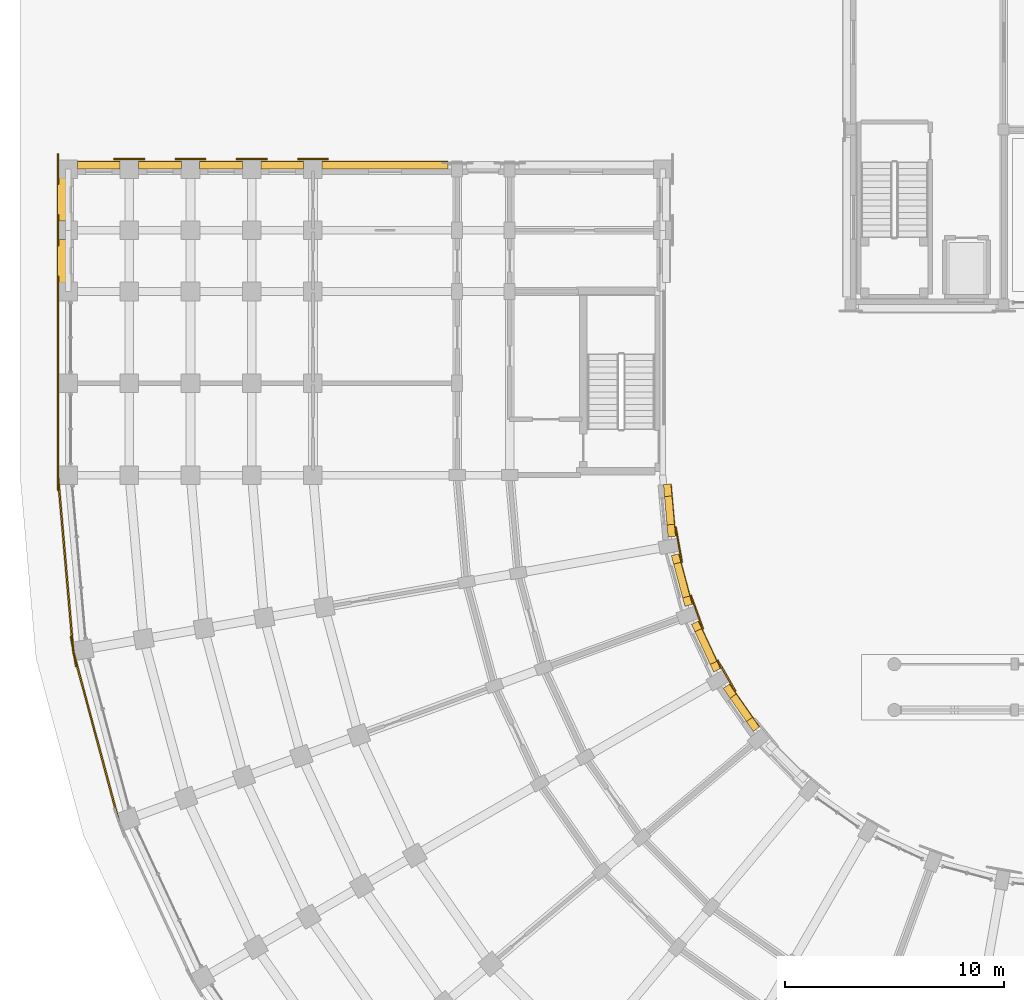
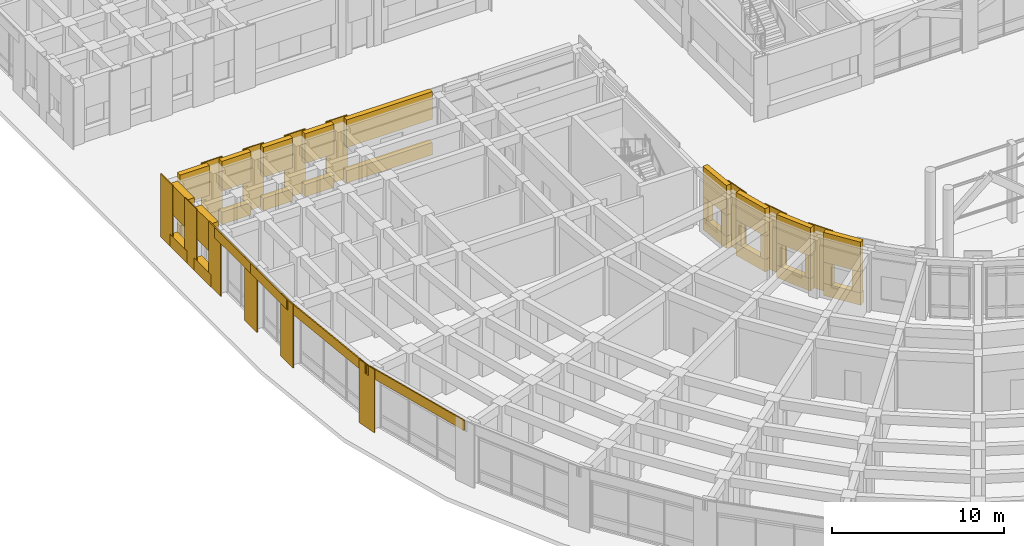
# One storey, part 118 of 135: 47 coverings.
"""IFC4 building model written with IfcOpenShell, lengths in metres."""

from ifc_helpers import new_model, si_unit, direction, frame, origin, place, context, subcontext, project, spatial, polyline, outline, extrude, material, layer, layer_set, type_object, element, save


model = new_model("IFC4")

# Units and contexts
model_context = context("Model", 3, precision=1e-05, world=origin(), true_north=direction((0.0, 1.0)))
body_context = subcontext(model_context, "Body", "Model", "MODEL_VIEW")
ifc_project = project(units=[si_unit("LENGTHUNIT", "METRE"), si_unit("AREAUNIT", "SQUARE_METRE"), si_unit("VOLUMEUNIT", "CUBIC_METRE"), si_unit("PLANEANGLEUNIT", "RADIAN"), si_unit("MASSUNIT", "GRAM", prefix="KILO")], contexts=[model_context])

# Site, building, storey
site_placement = place(None, origin())
site = spatial("IfcSite", under=ifc_project, at=site_placement, CompositionType="ELEMENT")
building_placement = place(site_placement, origin())
building = spatial("IfcBuilding", under=site, at=building_placement, Name="Kiranvali Square Residences", CompositionType="ELEMENT")
storey_placement = place(building_placement, origin())
storey = spatial("IfcBuildingStorey", under=building, at=storey_placement, Name="L00", CompositionType="ELEMENT", Elevation=0.0)

# Coverings
ifc_material_1 = material(Name="Honed Porbandar limestone ashlar facade cladding", Category="masonry")
ifc_layer_1 = layer(ifc_material_1, 0.3798828125)
ifc_layer_set_1 = layer_set([ifc_layer_1], Name="Honed Porbandar limestone ashlar facade cladding")
covering_type_1 = type_object("IfcCoveringType", Name="COV-CLAD-JAMB", PredefinedType="CLADDING", material=ifc_layer_set_1)
covering_1_placement = place(storey_placement, frame((0.0, 0.0, 0.8798828125)))
element("IfcCovering", 1, at=covering_1_placement, inside=storey, type_object=covering_type_1, Name="L00 deep limestone window jamb reveal C-L00-GDN-05.L", PredefinedType="CLADDING", context=body_context, shape_type="SweptSolid", body=[
    extrude(outline(polyline([(33.824462890625, 36.671142578125), (33.509765625, 37.120361328125), (33.231689453125, 36.925537109375), (33.54638671875, 36.476318359375), (33.824462890625, 36.671142578125)])), origin(), (0.0, 0.0, 1.0), 1.5),
])
covering_2_placement = place(storey_placement, frame((0.0, 0.0, 0.8798828125)))
element("IfcCovering", 2, at=covering_2_placement, inside=storey, type_object=covering_type_1, Name="L00 deep limestone window jamb reveal C-L00-GDN-05.R", PredefinedType="CLADDING", context=body_context, shape_type="SweptSolid", body=[
    extrude(outline(polyline([(32.76416015625, 38.185302734375), (32.44970703125, 38.634521484375), (32.171630859375, 38.43994140625), (32.486083984375, 37.990478515625), (32.76416015625, 38.185302734375)])), origin(), (0.0, 0.0, 1.0), 1.5),
])
covering_3_placement = place(storey_placement, frame((0.0, 0.0, 0.8798828125)))
element("IfcCovering", 3, at=covering_3_placement, inside=storey, type_object=covering_type_1, Name="L00 deep limestone window jamb reveal C-L00-GDN-06.L", PredefinedType="CLADDING", context=body_context, shape_type="SweptSolid", body=[
    extrude(outline(polyline([(32.041015625, 39.342529296875), (31.883056640625, 39.680908203125), (31.575439453125, 39.53759765625), (31.733154296875, 39.198974609375), (32.041015625, 39.342529296875)])), origin(), (0.0, 0.0, 1.0), 1.60009765625),
])
covering_4_placement = place(storey_placement, frame((0.0, 0.0, 0.8798828125)))
element("IfcCovering", 4, at=covering_4_placement, inside=storey, type_object=covering_type_1, Name="L00 deep limestone window jamb reveal C-L00-GDN-06.R", PredefinedType="CLADDING", context=body_context, shape_type="SweptSolid", body=[
    extrude(outline(polyline([(31.185791015625, 41.176513671875), (31.02783203125, 41.514892578125), (30.72021484375, 41.37158203125), (30.8779296875, 41.032958984375), (31.185791015625, 41.176513671875)])), origin(), (0.0, 0.0, 1.0), 1.60009765625),
])
covering_5_placement = place(storey_placement, frame((0.0, 0.0, 0.8798828125)))
element("IfcCovering", 5, at=covering_5_placement, inside=storey, type_object=covering_type_1, Name="L00 deep limestone window jamb reveal C-L00-GDN-07.L", PredefinedType="CLADDING", context=body_context, shape_type="SweptSolid", body=[
    extrude(outline(polyline([(30.748291015625, 42.282958984375), (30.645263671875, 42.66796875), (30.317138671875, 42.580078125), (30.42041015625, 42.195068359375), (30.748291015625, 42.282958984375)])), origin(), (0.0, 0.0, 1.0), 1.650146484375),
])
covering_6_placement = place(storey_placement, frame((0.0, 0.0, 0.8798828125)))
element("IfcCovering", 6, at=covering_6_placement, inside=storey, type_object=covering_type_1, Name="L00 deep limestone window jamb reveal C-L00-GDN-07.R", PredefinedType="CLADDING", context=body_context, shape_type="SweptSolid", body=[
    extrude(outline(polyline([(30.23095703125, 44.21337890625), (30.1279296875, 44.598388671875), (29.800048828125, 44.510498046875), (29.903076171875, 44.12548828125), (30.23095703125, 44.21337890625)])), origin(), (0.0, 0.0, 1.0), 1.650146484375),
])
covering_7_placement = place(storey_placement, frame((0.0, 0.0, 0.8798828125)))
element("IfcCovering", 7, at=covering_7_placement, inside=storey, type_object=covering_type_1, Name="L00 deep limestone window jamb reveal C-L00-GDN-08.L", PredefinedType="CLADDING", context=body_context, shape_type="SweptSolid", body=[
    extrude(outline(polyline([(29.986083984375, 45.4033203125), (29.938232421875, 45.94970703125), (29.599853515625, 45.920166015625), (29.647705078125, 45.373779296875), (29.986083984375, 45.4033203125)])), origin(), (0.0, 0.0, 1.0), 1.5),
])
covering_8_placement = place(storey_placement, frame((0.0, 0.0, 0.8798828125)))
element("IfcCovering", 8, at=covering_8_placement, inside=storey, type_object=covering_type_1, Name="L00 deep limestone window jamb reveal C-L00-GDN-08.R", PredefinedType="CLADDING", context=body_context, shape_type="SweptSolid", body=[
    extrude(outline(polyline([(29.824951171875, 47.244873046875), (29.777099609375, 47.791259765625), (29.43896484375, 47.76171875), (29.486572265625, 47.21533203125), (29.824951171875, 47.244873046875)])), origin(), (0.0, 0.0, 1.0), 1.5),
])
ifc_layer_2 = layer(ifc_material_1, 0.050048828125)
ifc_layer_set_2 = layer_set([ifc_layer_2], Name="Honed Porbandar limestone ashlar facade cladding")
covering_type_2 = type_object("IfcCoveringType", Name="COV-CLAD-PIER-IN", PredefinedType="CLADDING", material=ifc_layer_set_2)
covering_9_placement = place(storey_placement, frame((0.0, 0.0, 0.0048828125)))
element("IfcCovering", 9, at=covering_9_placement, inside=storey, type_object=covering_type_2, Name="L00 Classical garden courtyard pilaster CLAD-PRIN-C-L00-A06", PredefinedType="CLADDING", context=body_context, shape_type="SweptSolid", body=[
    extrude(outline(polyline([(32.758056640625, 38.33203125), (31.93310546875, 39.760986328125), (31.874755859375, 39.727294921875), (32.69970703125, 38.29833984375), (32.758056640625, 38.33203125)])), origin(), (0.0, 0.0, 1.0), 4.490234375),
])
covering_10_placement = place(storey_placement, frame((0.0, 0.0, 0.0048828125)))
element("IfcCovering", 10, at=covering_10_placement, inside=storey, type_object=covering_type_2, Name="L00 Classical garden courtyard pilaster CLAD-PRIN-C-L00-A07", PredefinedType="CLADDING", context=body_context, shape_type="SweptSolid", body=[
    extrude(outline(polyline([(31.279296875, 41.163330078125), (30.71484375, 42.7138671875), (30.6513671875, 42.69091796875), (31.2158203125, 41.140380859375), (31.279296875, 41.163330078125)])), origin(), (0.0, 0.0, 1.0), 4.490234375),
])
covering_11_placement = place(storey_placement, frame((0.0, 0.0, 0.0048828125)))
element("IfcCovering", 11, at=covering_11_placement, inside=storey, type_object=covering_type_2, Name="L00 Classical garden courtyard pilaster CLAD-PRIN-C-L00-A08", PredefinedType="CLADDING", context=body_context, shape_type="SweptSolid", body=[
    extrude(outline(polyline([(30.314453125, 44.20849609375), (30.02783203125, 45.83349609375), (29.96142578125, 45.82177734375), (30.247802734375, 44.19677734375), (30.314453125, 44.20849609375)])), origin(), (0.0, 0.0, 1.0), 4.490234375),
])
ifc_layer_3 = layer(ifc_material_1, 0.054931640625)
ifc_layer_set_3 = layer_set([ifc_layer_3], Name="Honed Porbandar limestone ashlar facade cladding")
covering_type_3 = type_object("IfcCoveringType", Name="COV-CLAD-PIER-UP", PredefinedType="CLADDING", material=ifc_layer_set_3)
covering_12_placement = place(storey_placement, frame((0.0, 0.0, 0.0048828125)))
element("IfcCovering", 12, at=covering_12_placement, inside=storey, type_object=covering_type_3, Name="L00 Classical limestone pilaster casing CLAD-PRA2E-C-L00-R348", PredefinedType="CLADDING", context=body_context, shape_type="SweptSolid", body=[
    extrude(outline(polyline([(14.10498046875, 62.693115234375), (12.695068359375, 62.693115234375), (12.695068359375, 62.62548828125), (14.10498046875, 62.62548828125), (14.10498046875, 62.693115234375)])), origin(), (0.0, 0.0, 1.0), 4.490234375),
])
covering_13_placement = place(storey_placement, frame((0.0, 0.0, 0.0048828125)))
element("IfcCovering", 13, at=covering_13_placement, inside=storey, type_object=covering_type_3, Name="L00 Classical limestone pilaster casing CLAD-PRA2E-C-L00-R376", PredefinedType="CLADDING", context=body_context, shape_type="SweptSolid", body=[
    extrude(outline(polyline([(11.304931640625, 62.693115234375), (9.89501953125, 62.693115234375), (9.89501953125, 62.62548828125), (11.304931640625, 62.62548828125), (11.304931640625, 62.693115234375)])), origin(), (0.0, 0.0, 1.0), 4.490234375),
])
covering_14_placement = place(storey_placement, frame((0.0, 0.0, 0.0048828125)))
element("IfcCovering", 14, at=covering_14_placement, inside=storey, type_object=covering_type_3, Name="L00 Classical limestone pilaster casing CLAD-PRA2E-C-L00-R404", PredefinedType="CLADDING", context=body_context, shape_type="SweptSolid", body=[
    extrude(outline(polyline([(8.5048828125, 62.693115234375), (7.094970703125, 62.693115234375), (7.094970703125, 62.62548828125), (8.5048828125, 62.62548828125), (8.5048828125, 62.693115234375)])), origin(), (0.0, 0.0, 1.0), 4.490234375),
])
covering_15_placement = place(storey_placement, frame((0.0, 0.0, 0.0048828125)))
element("IfcCovering", 15, at=covering_15_placement, inside=storey, type_object=covering_type_3, Name="L00 Classical limestone pilaster casing CLAD-PRA2E-C-L00-R432", PredefinedType="CLADDING", context=body_context, shape_type="SweptSolid", body=[
    extrude(outline(polyline([(5.705078125, 62.693115234375), (4.294921875, 62.693115234375), (4.294921875, 62.62548828125), (5.705078125, 62.62548828125), (5.705078125, 62.693115234375)])), origin(), (0.0, 0.0, 1.0), 4.490234375),
])
ifc_material_2 = material(Name="Alternating Deccan basalt and Porbandar limestone rusticated plinth ashlar", Category="masonry")
ifc_layer_4 = layer(ifc_material_2, 0.0849609375)
ifc_layer_set_4 = layer_set([ifc_layer_4], Name="Alternating Deccan basalt and Porbandar limestone rusticated plinth ashlar")
covering_type_4 = type_object("IfcCoveringType", Name="COV-CLAD-PLINTH", PredefinedType="CLADDING", material=ifc_layer_set_4)
covering_16_placement = place(storey_placement, frame((0.0, 0.0, 0.0048828125)))
element("IfcCovering", 16, at=covering_16_placement, inside=storey, type_object=covering_type_4, Name="L00 rusticated Ottoman arcade pier CLAD-PR-C-L00-A08", PredefinedType="CLADDING", context=body_context, shape_type="SweptSolid", body=[
    extrude(outline(polyline([(2.291015625, 40.82080078125), (2.53564453125, 39.432373046875), (2.602294921875, 39.444091796875), (2.357421875, 40.83251953125), (2.291015625, 40.82080078125)])), origin(), (0.0, 0.0, 1.0), 4.490234375),
])
covering_17_placement = place(storey_placement, frame((0.0, 0.0, 0.0048828125)))
element("IfcCovering", 17, at=covering_17_placement, inside=storey, type_object=covering_type_4, Name="L00 rusticated Ottoman arcade pier CLAD-PR-C-L00-A09", PredefinedType="CLADDING", context=body_context, shape_type="SweptSolid", body=[
    extrude(outline(polyline([(1.70703125, 48.905029296875), (1.70703125, 47.4951171875), (1.7744140625, 47.4951171875), (1.7744140625, 48.905029296875), (1.70703125, 48.905029296875)])), origin(), (0.0, 0.0, 1.0), 4.490234375),
])
covering_18_placement = place(storey_placement, frame((0.0, 0.0, 0.0048828125)))
element("IfcCovering", 18, at=covering_18_placement, inside=storey, type_object=covering_type_4, Name="L00 Classical limestone pilaster casing CLAD-PR-C-L00-V42", PredefinedType="CLADDING", context=body_context, shape_type="SweptSolid", body=[
    extrude(outline(polyline([(1.7744140625, 51.695068359375), (1.7744140625, 53.10498046875), (1.70703125, 53.10498046875), (1.70703125, 51.695068359375), (1.7744140625, 51.695068359375)])), origin(), (0.0, 0.0, 1.0), 4.490234375),
])
covering_19_placement = place(storey_placement, frame((0.0, 0.0, 0.0048828125)))
element("IfcCovering", 19, at=covering_19_placement, inside=storey, type_object=covering_type_4, Name="L00 Classical limestone pilaster casing CLAD-PR-C-L00-V84", PredefinedType="CLADDING", context=body_context, shape_type="SweptSolid", body=[
    extrude(outline(polyline([(1.7744140625, 55.89501953125), (1.7744140625, 57.304931640625), (1.70703125, 57.304931640625), (1.70703125, 55.89501953125), (1.7744140625, 55.89501953125)])), origin(), (0.0, 0.0, 1.0), 4.490234375),
])
covering_20_placement = place(storey_placement, frame((0.0, 0.0, 0.0048828125)))
element("IfcCovering", 20, at=covering_20_placement, inside=storey, type_object=covering_type_4, Name="L00 Classical limestone pilaster casing CLAD-PR-C-L00-V112", PredefinedType="CLADDING", context=body_context, shape_type="SweptSolid", body=[
    extrude(outline(polyline([(1.7744140625, 58.695068359375), (1.7744140625, 60.10498046875), (1.70703125, 60.10498046875), (1.70703125, 58.695068359375), (1.7744140625, 58.695068359375)])), origin(), (0.0, 0.0, 1.0), 4.490234375),
])
covering_21_placement = place(storey_placement, frame((0.0, 0.0, 0.0048828125)))
element("IfcCovering", 21, at=covering_21_placement, inside=storey, type_object=covering_type_4, Name="L00 Classical limestone pilaster casing CLAD-PR-C-L00-V140", PredefinedType="CLADDING", context=body_context, shape_type="SweptSolid", body=[
    extrude(outline(polyline([(1.7744140625, 61.4951171875), (1.7744140625, 62.905029296875), (1.70703125, 62.905029296875), (1.70703125, 61.4951171875), (1.7744140625, 61.4951171875)])), origin(), (0.0, 0.0, 1.0), 4.490234375),
])
ifc_layer_5 = layer(ifc_material_1, 0.360107421875)
ifc_layer_set_5 = layer_set([ifc_layer_5], Name="Honed Porbandar limestone ashlar facade cladding")
covering_type_5 = type_object("IfcCoveringType", Name="COV-CLAD-WALL", PredefinedType="CLADDING", material=ifc_layer_set_5)
covering_22_placement = place(storey_placement, frame((0.0, 0.0, 3.780029296875)))
element("IfcCovering", 22, at=covering_22_placement, inside=storey, type_object=covering_type_5, Name="Block C L00 Classical Ottoman arcade entablature 8", PredefinedType="CLADDING", context=body_context, shape_type="SweptSolid", body=[
    extrude(outline(polyline([(4.561767578125, 32.3564453125), (2.486328125, 40.1015625), (2.4111328125, 40.08154296875), (4.486328125, 32.33642578125), (4.561767578125, 32.3564453125)])), origin(), (0.0, 0.0, 1.0), 0.715087890625),
])
covering_23_placement = place(storey_placement, frame((0.0, 0.0, 3.780029296875)))
element("IfcCovering", 23, at=covering_23_placement, inside=storey, type_object=covering_type_5, Name="Block C L00 Classical Ottoman arcade entablature 9", PredefinedType="CLADDING", context=body_context, shape_type="SweptSolid", body=[
    extrude(outline(polyline([(2.473388671875, 40.175048828125), (1.774658203125, 48.162841796875), (1.697021484375, 48.156005859375), (2.395751953125, 40.168212890625), (2.473388671875, 40.175048828125)])), origin(), (0.0, 0.0, 1.0), 0.715087890625),
])
covering_24_placement = place(storey_placement, frame((0.0, 0.0, 2.3798828125)))
element("IfcCovering", 24, at=covering_24_placement, inside=storey, type_object=covering_type_5, Name="L00 light limestone spandrel lintel C-L00-GDN-05", PredefinedType="CLADDING", context=body_context, shape_type="SweptSolid", body=[
    extrude(outline(polyline([(33.824462890625, 36.671142578125), (32.44970703125, 38.634521484375), (32.171630859375, 38.43994140625), (33.54638671875, 36.476318359375), (33.824462890625, 36.671142578125)])), origin(), (0.0, 0.0, 1.0), 2.115234375),
])
covering_25_placement = place(storey_placement, frame((0.0, 0.0, 2.47998046875)))
element("IfcCovering", 25, at=covering_25_placement, inside=storey, type_object=covering_type_5, Name="L00 light limestone spandrel lintel C-L00-GDN-06", PredefinedType="CLADDING", context=body_context, shape_type="SweptSolid", body=[
    extrude(outline(polyline([(32.041015625, 39.342529296875), (31.02783203125, 41.514892578125), (30.72021484375, 41.37158203125), (31.733154296875, 39.198974609375), (32.041015625, 39.342529296875)])), origin(), (0.0, 0.0, 1.0), 2.01513671875),
])
covering_26_placement = place(storey_placement, frame((0.0, 0.0, 2.530029296875)))
element("IfcCovering", 26, at=covering_26_placement, inside=storey, type_object=covering_type_5, Name="L00 light limestone spandrel lintel C-L00-GDN-07", PredefinedType="CLADDING", context=body_context, shape_type="SweptSolid", body=[
    extrude(outline(polyline([(30.748291015625, 42.282958984375), (30.1279296875, 44.598388671875), (29.800048828125, 44.510498046875), (30.42041015625, 42.195068359375), (30.748291015625, 42.282958984375)])), origin(), (0.0, 0.0, 1.0), 1.965087890625),
])
covering_27_placement = place(storey_placement, frame((0.0, 0.0, 2.3798828125)))
element("IfcCovering", 27, at=covering_27_placement, inside=storey, type_object=covering_type_5, Name="L00 light limestone spandrel lintel C-L00-GDN-08", PredefinedType="CLADDING", context=body_context, shape_type="SweptSolid", body=[
    extrude(outline(polyline([(29.986083984375, 45.4033203125), (29.777099609375, 47.791259765625), (29.43896484375, 47.76171875), (29.647705078125, 45.373779296875), (29.986083984375, 45.4033203125)])), origin(), (0.0, 0.0, 1.0), 2.115234375),
])
covering_28_placement = place(storey_placement, frame((0.0, 0.0, 3.780029296875)))
element("IfcCovering", 28, at=covering_28_placement, inside=storey, type_object=covering_type_5, Name="Block C L00 Arm 2 street arcade cornice 1", PredefinedType="CLADDING", context=body_context, shape_type="SweptSolid", body=[
    extrude(outline(polyline([(1.77294921875, 48.199951171875), (1.77294921875, 52.39990234375), (1.695068359375, 52.39990234375), (1.695068359375, 48.199951171875), (1.77294921875, 48.199951171875)])), origin(), (0.0, 0.0, 1.0), 0.715087890625),
])
covering_29_placement = place(storey_placement, frame((0.0, 0.0, 3.780029296875)))
element("IfcCovering", 29, at=covering_29_placement, inside=storey, type_object=covering_type_5, Name="Block C L00 Arm 2 street arcade cornice 2", PredefinedType="CLADDING", context=body_context, shape_type="SweptSolid", body=[
    extrude(outline(polyline([(1.77294921875, 52.39990234375), (1.77294921875, 56.60009765625), (1.695068359375, 56.60009765625), (1.695068359375, 52.39990234375), (1.77294921875, 52.39990234375)])), origin(), (0.0, 0.0, 1.0), 0.715087890625),
])
covering_30_placement = place(storey_placement, frame((0.0, 0.0, 2.3798828125)))
element("IfcCovering", 30, at=covering_30_placement, inside=storey, type_object=covering_type_5, Name="L00 light limestone spandrel lintel C-L00-A2O-2", PredefinedType="CLADDING", context=body_context, shape_type="SweptSolid", body=[
    extrude(outline(polyline([(2.199462890625, 57.02001953125), (2.199462890625, 58.97998046875), (1.72509765625, 58.97998046875), (1.72509765625, 57.02001953125), (2.199462890625, 57.02001953125)])), origin(), (0.0, 0.0, 1.0), 2.115234375),
])
covering_31_placement = place(storey_placement, frame((0.0, 0.0, 0.0048828125)))
element("IfcCovering", 31, at=covering_31_placement, inside=storey, type_object=covering_type_5, Name="L00 limestone window sill apron C-L00-A2O-2", PredefinedType="CLADDING", context=body_context, shape_type="SweptSolid", body=[
    extrude(outline(polyline([(2.199462890625, 57.02001953125), (2.199462890625, 58.97998046875), (1.695068359375, 58.97998046875), (1.695068359375, 57.02001953125), (2.199462890625, 57.02001953125)])), origin(), (0.0, 0.0, 1.0), 0.875),
])
covering_32_placement = place(storey_placement, frame((0.0, 0.0, 2.3798828125)))
element("IfcCovering", 32, at=covering_32_placement, inside=storey, type_object=covering_type_5, Name="L00 light limestone spandrel lintel C-L00-A2O-3", PredefinedType="CLADDING", context=body_context, shape_type="SweptSolid", body=[
    extrude(outline(polyline([(2.199462890625, 59.820068359375), (2.199462890625, 61.780029296875), (1.72509765625, 61.780029296875), (1.72509765625, 59.820068359375), (2.199462890625, 59.820068359375)])), origin(), (0.0, 0.0, 1.0), 2.115234375),
])
covering_33_placement = place(storey_placement, frame((0.0, 0.0, 0.0048828125)))
element("IfcCovering", 33, at=covering_33_placement, inside=storey, type_object=covering_type_5, Name="L00 limestone window sill apron C-L00-A2O-3", PredefinedType="CLADDING", context=body_context, shape_type="SweptSolid", body=[
    extrude(outline(polyline([(2.199462890625, 59.820068359375), (2.199462890625, 61.780029296875), (1.695068359375, 61.780029296875), (1.695068359375, 59.820068359375), (2.199462890625, 59.820068359375)])), origin(), (0.0, 0.0, 1.0), 0.875),
])
covering_34_placement = place(storey_placement, frame((0.0, 0.0, 2.530029296875)))
element("IfcCovering", 34, at=covering_34_placement, inside=storey, type_object=covering_type_5, Name="L00 light limestone spandrel lintel C-L00-A2END-2", PredefinedType="CLADDING", context=body_context, shape_type="SweptSolid", body=[
    extrude(outline(polyline([(19.580078125, 62.5400390625), (13.820068359375, 62.5400390625), (13.820068359375, 62.200439453125), (19.580078125, 62.200439453125), (19.580078125, 62.5400390625)])), origin(), (0.0, 0.0, 1.0), 1.965087890625),
])
covering_35_placement = place(storey_placement, frame((0.0, 0.0, 0.0048828125)))
element("IfcCovering", 35, at=covering_35_placement, inside=storey, type_object=covering_type_5, Name="L00 limestone window sill apron C-L00-A2END-2", PredefinedType="CLADDING", context=body_context, shape_type="SweptSolid", body=[
    extrude(outline(polyline([(19.580078125, 62.570068359375), (13.820068359375, 62.570068359375), (13.820068359375, 62.200439453125), (19.580078125, 62.200439453125), (19.580078125, 62.570068359375)])), origin(), (0.0, 0.0, 1.0), 0.875),
])
covering_36_placement = place(storey_placement, frame((0.0, 0.0, 2.3798828125)))
element("IfcCovering", 36, at=covering_36_placement, inside=storey, type_object=covering_type_5, Name="L00 light limestone spandrel lintel C-L00-A2END-3", PredefinedType="CLADDING", context=body_context, shape_type="SweptSolid", body=[
    extrude(outline(polyline([(12.97998046875, 62.5400390625), (11.02001953125, 62.5400390625), (11.02001953125, 62.200439453125), (12.97998046875, 62.200439453125), (12.97998046875, 62.5400390625)])), origin(), (0.0, 0.0, 1.0), 2.115234375),
])
covering_37_placement = place(storey_placement, frame((0.0, 0.0, 0.0048828125)))
element("IfcCovering", 37, at=covering_37_placement, inside=storey, type_object=covering_type_5, Name="L00 limestone window sill apron C-L00-A2END-3", PredefinedType="CLADDING", context=body_context, shape_type="SweptSolid", body=[
    extrude(outline(polyline([(12.97998046875, 62.570068359375), (11.02001953125, 62.570068359375), (11.02001953125, 62.200439453125), (12.97998046875, 62.200439453125), (12.97998046875, 62.570068359375)])), origin(), (0.0, 0.0, 1.0), 0.875),
])
covering_38_placement = place(storey_placement, frame((0.0, 0.0, 2.3798828125)))
element("IfcCovering", 38, at=covering_38_placement, inside=storey, type_object=covering_type_5, Name="L00 light limestone spandrel lintel C-L00-A2END-4", PredefinedType="CLADDING", context=body_context, shape_type="SweptSolid", body=[
    extrude(outline(polyline([(10.179931640625, 62.5400390625), (8.219970703125, 62.5400390625), (8.219970703125, 62.200439453125), (10.179931640625, 62.200439453125), (10.179931640625, 62.5400390625)])), origin(), (0.0, 0.0, 1.0), 2.115234375),
])
covering_39_placement = place(storey_placement, frame((0.0, 0.0, 0.0048828125)))
element("IfcCovering", 39, at=covering_39_placement, inside=storey, type_object=covering_type_5, Name="L00 limestone window sill apron C-L00-A2END-4", PredefinedType="CLADDING", context=body_context, shape_type="SweptSolid", body=[
    extrude(outline(polyline([(10.179931640625, 62.570068359375), (8.219970703125, 62.570068359375), (8.219970703125, 62.200439453125), (10.179931640625, 62.200439453125), (10.179931640625, 62.570068359375)])), origin(), (0.0, 0.0, 1.0), 0.875),
])
covering_40_placement = place(storey_placement, frame((0.0, 0.0, 2.3798828125)))
element("IfcCovering", 40, at=covering_40_placement, inside=storey, type_object=covering_type_5, Name="L00 light limestone spandrel lintel C-L00-A2END-5", PredefinedType="CLADDING", context=body_context, shape_type="SweptSolid", body=[
    extrude(outline(polyline([(7.3798828125, 62.5400390625), (5.419921875, 62.5400390625), (5.419921875, 62.200439453125), (7.3798828125, 62.200439453125), (7.3798828125, 62.5400390625)])), origin(), (0.0, 0.0, 1.0), 2.115234375),
])
covering_41_placement = place(storey_placement, frame((0.0, 0.0, 0.0048828125)))
element("IfcCovering", 41, at=covering_41_placement, inside=storey, type_object=covering_type_5, Name="L00 limestone window sill apron C-L00-A2END-5", PredefinedType="CLADDING", context=body_context, shape_type="SweptSolid", body=[
    extrude(outline(polyline([(7.3798828125, 62.570068359375), (5.419921875, 62.570068359375), (5.419921875, 62.200439453125), (7.3798828125, 62.200439453125), (7.3798828125, 62.570068359375)])), origin(), (0.0, 0.0, 1.0), 0.875),
])
covering_42_placement = place(storey_placement, frame((0.0, 0.0, 2.3798828125)))
element("IfcCovering", 42, at=covering_42_placement, inside=storey, type_object=covering_type_5, Name="L00 light limestone spandrel lintel C-L00-A2END-6", PredefinedType="CLADDING", context=body_context, shape_type="SweptSolid", body=[
    extrude(outline(polyline([(4.580078125, 62.5400390625), (2.6201171875, 62.5400390625), (2.6201171875, 62.200439453125), (4.580078125, 62.200439453125), (4.580078125, 62.5400390625)])), origin(), (0.0, 0.0, 1.0), 2.115234375),
])
covering_43_placement = place(storey_placement, frame((0.0, 0.0, 0.0048828125)))
element("IfcCovering", 43, at=covering_43_placement, inside=storey, type_object=covering_type_5, Name="L00 limestone window sill apron C-L00-A2END-6", PredefinedType="CLADDING", context=body_context, shape_type="SweptSolid", body=[
    extrude(outline(polyline([(4.580078125, 62.570068359375), (2.6201171875, 62.570068359375), (2.6201171875, 62.200439453125), (4.580078125, 62.200439453125), (4.580078125, 62.570068359375)])), origin(), (0.0, 0.0, 1.0), 0.875),
])
ifc_layer_6 = layer(ifc_material_1, 0.2900390625)
ifc_layer_set_6 = layer_set([ifc_layer_6], Name="Honed Porbandar limestone ashlar facade cladding")
covering_type_6 = type_object("IfcCoveringType", Name="COV-CLAD-WALL-IN", PredefinedType="CLADDING", material=ifc_layer_set_6)
covering_44_placement = place(storey_placement, frame((0.0, 0.0, 0.0048828125)))
element("IfcCovering", 44, at=covering_44_placement, inside=storey, type_object=covering_type_6, Name="L00 limestone window sill apron C-L00-GDN-05", PredefinedType="CLADDING", context=body_context, shape_type="SweptSolid", body=[
    extrude(outline(polyline([(33.84912109375, 36.688232421875), (32.47412109375, 38.65185546875), (32.171630859375, 38.43994140625), (33.54638671875, 36.476318359375), (33.84912109375, 36.688232421875)])), origin(), (0.0, 0.0, 1.0), 0.875),
])
covering_45_placement = place(storey_placement, frame((0.0, 0.0, 0.0048828125)))
element("IfcCovering", 45, at=covering_45_placement, inside=storey, type_object=covering_type_6, Name="L00 limestone window sill apron C-L00-GDN-06", PredefinedType="CLADDING", context=body_context, shape_type="SweptSolid", body=[
    extrude(outline(polyline([(32.068115234375, 39.355224609375), (31.05517578125, 41.527587890625), (30.72021484375, 41.37158203125), (31.733154296875, 39.198974609375), (32.068115234375, 39.355224609375)])), origin(), (0.0, 0.0, 1.0), 0.875),
])
covering_46_placement = place(storey_placement, frame((0.0, 0.0, 0.0048828125)))
element("IfcCovering", 46, at=covering_46_placement, inside=storey, type_object=covering_type_6, Name="L00 limestone window sill apron C-L00-GDN-07", PredefinedType="CLADDING", context=body_context, shape_type="SweptSolid", body=[
    extrude(outline(polyline([(30.77734375, 42.290771484375), (30.156982421875, 44.606201171875), (29.800048828125, 44.510498046875), (30.42041015625, 42.195068359375), (30.77734375, 42.290771484375)])), origin(), (0.0, 0.0, 1.0), 0.875),
])
covering_47_placement = place(storey_placement, frame((0.0, 0.0, 0.0048828125)))
element("IfcCovering", 47, at=covering_47_placement, inside=storey, type_object=covering_type_6, Name="L00 limestone window sill apron C-L00-GDN-08", PredefinedType="CLADDING", context=body_context, shape_type="SweptSolid", body=[
    extrude(outline(polyline([(30.015869140625, 45.406005859375), (29.806884765625, 47.7939453125), (29.43896484375, 47.76171875), (29.647705078125, 45.373779296875), (30.015869140625, 45.406005859375)])), origin(), (0.0, 0.0, 1.0), 0.875),
])

save(model, "model.ifc")
